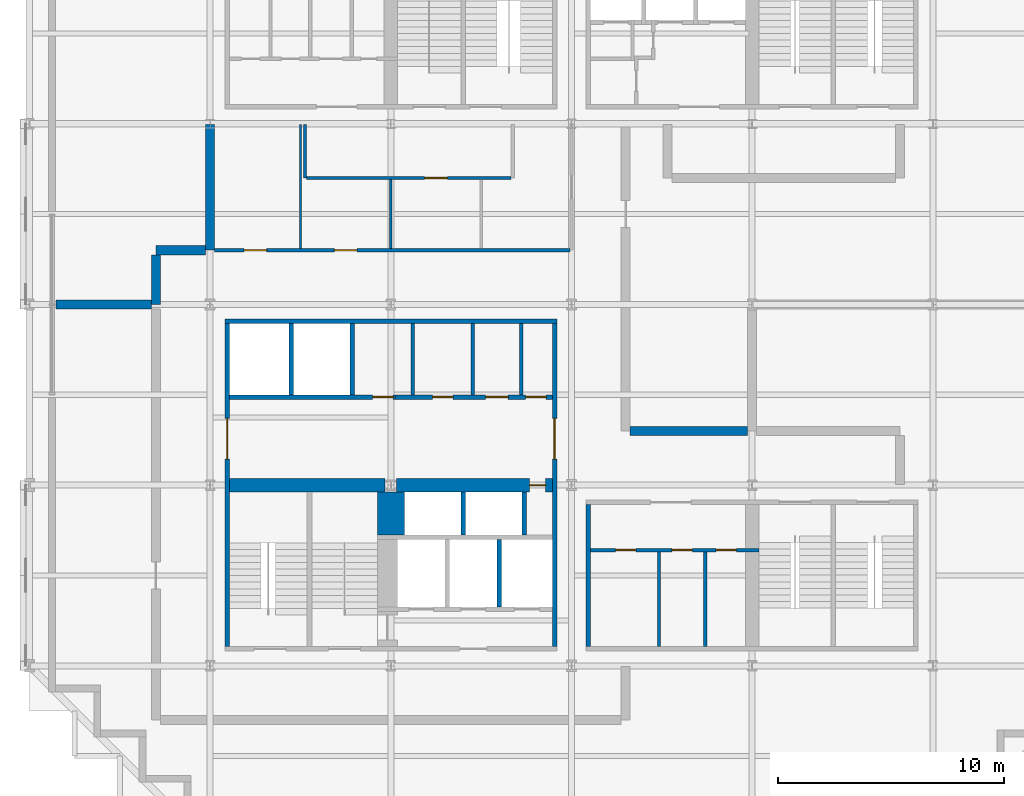
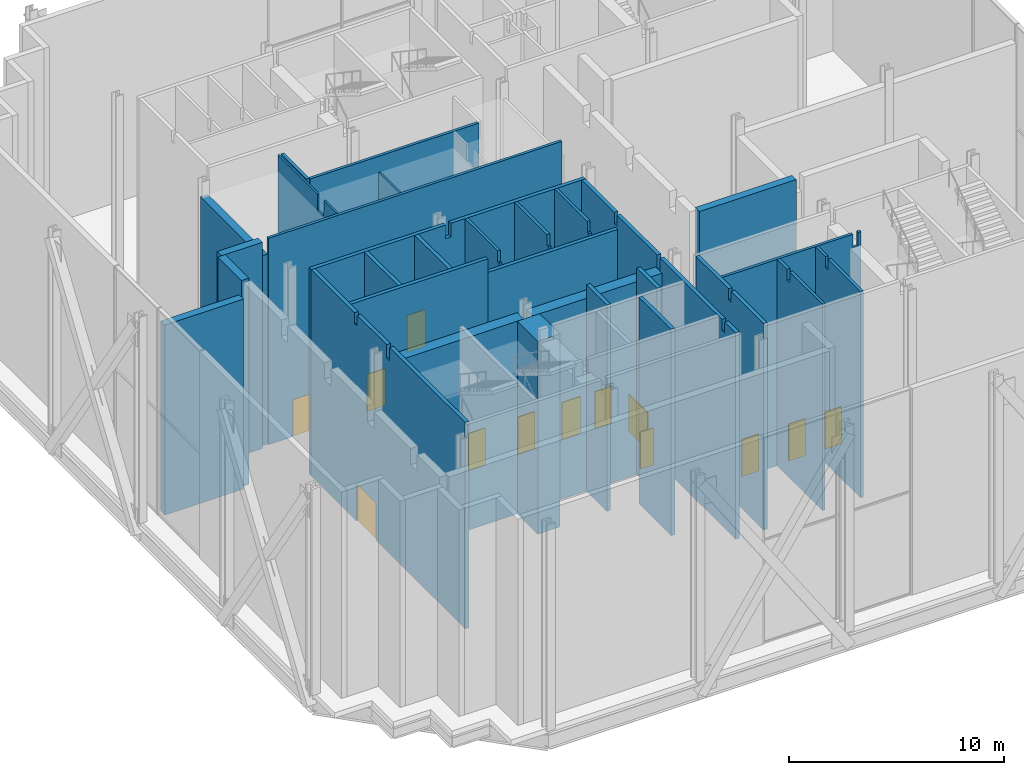
# One storey, part 8 of 14: 30 walls, 13 doors, 13 openings.
"""IFC4 building model written with IfcOpenShell, lengths in metres."""

from ifc_helpers import new_model, si_unit, direction, frame, frame_2d, origin, place, context, subcontext, project, spatial, polyline, rectangle, outline, extrude, material, layer, layer_set, type_object, element, fill, save


model = new_model("IFC4")

# Units and contexts
model_context = context("Model", 3, precision=1e-05, world=origin(), true_north=direction((0.0, 1.0)))
body_context = subcontext(model_context, "Body", "Model", "MODEL_VIEW")
ifc_project = project(units=[si_unit("LENGTHUNIT", "METRE"), si_unit("AREAUNIT", "SQUARE_METRE"), si_unit("VOLUMEUNIT", "CUBIC_METRE"), si_unit("PLANEANGLEUNIT", "RADIAN"), si_unit("MASSUNIT", "GRAM", prefix="KILO")], contexts=[model_context])

# Site, building, storey
site_placement = place(None, origin())
site = spatial("IfcSite", under=ifc_project, at=site_placement, CompositionType="ELEMENT")
building_placement = place(site_placement, origin())
building = spatial("IfcBuilding", under=site, at=building_placement, Name="Immortelle Media Tower", CompositionType="ELEMENT")
storey_placement = place(building_placement, frame((0.0, 0.0, 9.0)))
storey = spatial("IfcBuildingStorey", under=building, at=storey_placement, Name="L01", CompositionType="ELEMENT", Elevation=9.0)

# Wall, opening, door
ifc_material_1 = material(Name="Fire-rated masonry blockwork", Category="masonry")
ifc_layer_1 = layer(ifc_material_1, 0.60009765625)
ifc_layer_set_1 = layer_set([ifc_layer_1], Name="Fire-rated masonry blockwork")
wall_type_1 = type_object("IfcWallType", Name="Core grid-line wall 600", PredefinedType="PARTITIONING", material=ifc_layer_set_1)
wall_1_placement = place(storey_placement, frame((16.24755859375, 16.0, 0.0), z_axis=(0.0, 0.0, 1.0), x_axis=(1.0, 0.0, 0.0)))
wall_1 = element("IfcWall", 1, at=wall_1_placement, inside=storey, type_object=wall_type_1, Name="Core grid-line wall SW", PredefinedType="PARTITIONING", context=body_context, shape_type="SweptSolid", body=[
    extrude(rectangle(XDim=6.90234375, YDim=0.60009765625, at=frame_2d((3.451171875, 0.0))), origin(), (0.0, 0.0, 1.0), 10.931884765625),
])
opening_1_placement = place(wall_1_placement, frame((6.6025390625, 0.0, 0.0), z_axis=(0.0, 0.0, 1.0), x_axis=(-1.0, 0.0, 0.0)))
opening_1 = element("IfcOpeningElement", 2, at=opening_1_placement, cuts=wall_1, Name="Opening P1-K013", PredefinedType="OPENING", context=body_context, shape_type="SweptSolid", body=[
    extrude(rectangle(XDim=0.699951171875, YDim=2.10009765625, at=frame_2d((0.35009765625, 1.050048828125))), frame((0.0, 0.31005859375, 0.0), z_axis=(0.0, -1.0, 0.0), x_axis=(1.0, 0.0, 0.0)), (0.0, 0.0, 1.0), 0.6201171875),
])
ifc_material_2 = material(Name="Galvanised steel door leaf and frame ASTM A653", Category="steel")
door_type_1 = type_object("IfcDoorType", Name="Service door 700 x 2100", OperationType="NOTDEFINED", PredefinedType="NOTDEFINED", material=ifc_material_2)
door_1_placement = place(opening_1_placement, origin())
door_1 = element("IfcDoor", 3, at=door_1_placement, inside=storey, type_object=door_type_1, Name="Service P1-K013", OperationType="SINGLE_SWING_RIGHT", OverallHeight=2.10009765625, OverallWidth=0.699951171875, PredefinedType="NOTDEFINED", context=body_context, shape_type="SweptSolid", body=[
    extrude(rectangle(XDim=0.699951171875, YDim=2.10009765625, at=frame_2d((0.35009765625, 1.050048828125))), frame((0.0, 0.02490234375, 0.0), z_axis=(0.0, -1.0, 0.0), x_axis=(1.0, 0.0, 0.0)), (0.0, 0.0, 1.0), 0.050048828125),
])
fill(opening_1, door_1)

# Walls
ifc_material_3 = material(Name="Fire-rated gypsum board", Category="gypsum")
ifc_layer_2 = layer(ifc_material_3, 0.02490234375)
ifc_material_4 = material(Name="Steel ASTM A653 SS Gr 50 stud frame with mineral wool", Category="steel")
ifc_layer_3 = layer(ifc_material_4, 0.10009765625)
ifc_layer_4 = layer(ifc_material_3, 0.02490234375)
ifc_layer_set_2 = layer_set([ifc_layer_2, ifc_layer_3, ifc_layer_4], Name="Steel ASTM A653 SS Gr 50 stud frame with mineral wool")
wall_type_2 = type_object("IfcWallType", Name="Core partition 150", PredefinedType="PARTITIONING", material=ifc_layer_set_2)
for number, where, z_axis, x_axis, name in (
    (4, (16.97509765625, 20.0, 0.0), (0.0, 0.0, 1.0), (0.0, 1.0, 0.0), "Core partition SW"),
    (5, (19.625, 20.0, 0.0), (0.0, 0.0, 1.0), (0.0, 1.0, 0.0), "Core partition SW"),
    (6, (21.77490234375, 20.0, 0.0), (0.0, 0.0, 1.0), (0.0, 1.0, 0.0), "Core partition SW"),
):
    element("IfcWall", number, at=place(storey_placement, frame(where, z_axis=z_axis, x_axis=x_axis)), inside=storey, type_object=wall_type_2, Name=name, PredefinedType="PARTITIONING", context=body_context, shape_type="SweptSolid", body=[
        extrude(outline(polyline([(0.0, 0.0), (3.14990234375, 0.0), (3.14990234375, 11.699951171875), (0.119384765625, 11.699951171875), (0.118408203125, 11.08203125), (0.0, 11.08203125), (0.0, 0.0)])), frame((0.0, 0.074951171875, 0.0), z_axis=(0.0, -1.0, 0.0), x_axis=(1.0, 0.0, 0.0)), (0.0, 0.0, 1.0), 0.14990234375),
    ])

# Wall, openings, doors
wall_2_placement = place(storey_placement, frame((24.85009765625, 13.125, 0.0), z_axis=(0.0, 0.0, 1.0), x_axis=(1.0, 0.0, 0.0)))
wall_2 = element("IfcWall", 7, at=wall_2_placement, inside=storey, type_object=wall_type_2, Name="Core partition SE", PredefinedType="PARTITIONING", context=body_context, shape_type="SweptSolid", body=[
    extrude(outline(polyline([(0.0, 0.0), (7.449951171875, 0.0), (7.449951171875, 11.699951171875), (7.28857421875, 11.699951171875), (7.28759765625, 10.931884765625), (7.012451171875, 10.931884765625), (7.011474609375, 11.699951171875), (0.0, 11.699951171875), (0.0, 0.0)])), frame((0.0, 0.074951171875, 0.0), z_axis=(0.0, -1.0, 0.0), x_axis=(1.0, 0.0, 0.0)), (0.0, 0.0, 1.0), 0.14990234375),
])
opening_2_placement = place(wall_2_placement, frame((2.0, 0.0, 0.0), z_axis=(0.0, 0.0, 1.0), x_axis=(-1.0, 0.0, 0.0)))
opening_2 = element("IfcOpeningElement", 8, at=opening_2_placement, cuts=wall_2, Name="Opening P1-K015", PredefinedType="OPENING", context=body_context, shape_type="SweptSolid", body=[
    extrude(rectangle(XDim=0.89990234375, YDim=2.10009765625, at=frame_2d((0.449951171875, 1.050048828125))), frame((0.0, 0.0849609375, 0.0), z_axis=(0.0, -1.0, 0.0), x_axis=(1.0, 0.0, 0.0)), (0.0, 0.0, 1.0), 0.169921875),
])
opening_3_placement = place(wall_2_placement, frame((4.5, 0.0, 0.0), z_axis=(0.0, 0.0, 1.0), x_axis=(-1.0, 0.0, 0.0)))
opening_3 = element("IfcOpeningElement", 9, at=opening_3_placement, cuts=wall_2, Name="Opening P1-K017", PredefinedType="OPENING", context=body_context, shape_type="SweptSolid", body=[
    extrude(rectangle(XDim=0.89990234375, YDim=2.10009765625, at=frame_2d((0.449951171875, 1.050048828125))), frame((0.0, 0.0849609375, 0.0), z_axis=(0.0, -1.0, 0.0), x_axis=(1.0, 0.0, 0.0)), (0.0, 0.0, 1.0), 0.169921875),
])
opening_4_placement = place(wall_2_placement, frame((6.449951171875, 0.0, 0.0), z_axis=(0.0, 0.0, 1.0), x_axis=(-1.0, 0.0, 0.0)))
opening_4 = element("IfcOpeningElement", 10, at=opening_4_placement, cuts=wall_2, Name="Opening P1-K018", PredefinedType="OPENING", context=body_context, shape_type="SweptSolid", body=[
    extrude(rectangle(XDim=0.89990234375, YDim=2.10009765625, at=frame_2d((0.449951171875, 1.050048828125))), frame((0.0, 0.0849609375, 0.0), z_axis=(0.0, -1.0, 0.0), x_axis=(1.0, 0.0, 0.0)), (0.0, 0.0, 1.0), 0.169921875),
])
ifc_material_5 = material(Name="Timber", Category="wood")
door_type_2 = type_object("IfcDoorType", Name="Room door 900 x 2100", OperationType="NOTDEFINED", PredefinedType="NOTDEFINED", material=ifc_material_5)
door_2_placement = place(opening_2_placement, origin())
door_2 = element("IfcDoor", 11, at=door_2_placement, inside=storey, type_object=door_type_2, Name="Room P1-K015", OperationType="SINGLE_SWING_RIGHT", OverallHeight=2.10009765625, OverallWidth=0.89990234375, PredefinedType="NOTDEFINED", context=body_context, shape_type="SweptSolid", body=[
    extrude(rectangle(XDim=0.89990234375, YDim=2.10009765625, at=frame_2d((0.449951171875, 1.050048828125))), frame((0.0, 0.02490234375, 0.0), z_axis=(0.0, -1.0, 0.0), x_axis=(1.0, 0.0, 0.0)), (0.0, 0.0, 1.0), 0.050048828125),
])
fill(opening_2, door_2)
door_3_placement = place(opening_3_placement, origin())
door_3 = element("IfcDoor", 12, at=door_3_placement, inside=storey, type_object=door_type_2, Name="Room P1-K017", OperationType="SINGLE_SWING_LEFT", OverallHeight=2.10009765625, OverallWidth=0.89990234375, PredefinedType="NOTDEFINED", context=body_context, shape_type="SweptSolid", body=[
    extrude(rectangle(XDim=0.89990234375, YDim=2.10009765625, at=frame_2d((0.449951171875, 1.050048828125))), frame((0.0, 0.02490234375, 0.0), z_axis=(0.0, -1.0, 0.0), x_axis=(1.0, 0.0, 0.0)), (0.0, 0.0, 1.0), 0.050048828125),
])
fill(opening_3, door_3)
door_type_3 = type_object("IfcDoorType", Name="Service door 900 x 2100", OperationType="NOTDEFINED", PredefinedType="NOTDEFINED", material=ifc_material_2)
door_4_placement = place(opening_4_placement, origin())
door_4 = element("IfcDoor", 13, at=door_4_placement, inside=storey, type_object=door_type_3, Name="Service P1-K018", OperationType="SINGLE_SWING_RIGHT", OverallHeight=2.10009765625, OverallWidth=0.89990234375, PredefinedType="NOTDEFINED", context=body_context, shape_type="SweptSolid", body=[
    extrude(rectangle(XDim=0.89990234375, YDim=2.10009765625, at=frame_2d((0.449951171875, 1.050048828125))), frame((0.0, 0.02490234375, 0.0), z_axis=(0.0, -1.0, 0.0), x_axis=(1.0, 0.0, 0.0)), (0.0, 0.0, 1.0), 0.050048828125),
])
fill(opening_4, door_4)

# Walls
for number, where, z_axis, x_axis, name in (
    (14, (27.875, 8.85009765625, 0.0), (0.0, 0.0, 1.0), (0.0, 1.0, 0.0), "Core partition SE"),
    (15, (29.925048828125, 8.85009765625, 0.0), (0.0, 0.0, 1.0), (0.0, 1.0, 0.0), "Core partition SE"),
):
    element("IfcWall", number, at=place(storey_placement, frame(where, z_axis=z_axis, x_axis=x_axis)), inside=storey, type_object=wall_type_2, Name=name, PredefinedType="PARTITIONING", context=body_context, shape_type="SweptSolid", body=[
        extrude(outline(polyline([(0.0, 0.0), (4.199951171875, 0.0), (4.199951171875, 11.699951171875), (3.26953125, 11.699951171875), (3.2685546875, 11.08203125), (3.031494140625, 11.08203125), (3.030517578125, 11.699951171875), (0.0, 11.699951171875), (0.0, 0.0)])), frame((0.0, 0.074951171875, 0.0), z_axis=(0.0, -1.0, 0.0), x_axis=(1.0, 0.0, 0.0)), (0.0, 0.0, 1.0), 0.14990234375),
    ])
ifc_layer_5 = layer(ifc_material_3, 0.03759765625)
ifc_layer_6 = layer(ifc_material_4, 0.125)
ifc_layer_7 = layer(ifc_material_3, 0.03759765625)
ifc_layer_set_3 = layer_set([ifc_layer_5, ifc_layer_6, ifc_layer_7], Name="Steel ASTM A653 SS Gr 50 stud frame with mineral wool")
wall_type_3 = type_object("IfcWallType", Name="Core shaft wall 200", PredefinedType="PARTITIONING", material=ifc_layer_set_3)
wall_3_placement = place(storey_placement, frame((8.64990234375, 23.25, 0.0), z_axis=(0.0, 0.0, 1.0), x_axis=(1.0, 0.0, 0.0)))
element("IfcWall", 16, at=wall_3_placement, inside=storey, type_object=wall_type_3, Name="Core shaft wall SW", PredefinedType="PARTITIONING", context=body_context, shape_type="SweptSolid", body=[
    extrude(outline(polyline([(0.0, 0.0), (14.7001953125, 0.0), (14.699951171875, 11.699951171875), (7.488525390625, 11.699951171875), (7.487548828125, 10.931884765625), (7.21240234375, 10.931884765625), (7.21142578125, 11.699951171875), (0.0, 11.699951171875), (0.0, 0.0)])), frame((0.0, 0.10009765625, 0.0), z_axis=(0.0, -1.0, 0.0), x_axis=(1.0, 0.0, 0.0)), (0.0, 0.0, 1.0), 0.199951171875),
])

# Wall, opening, door
wall_4_placement = place(storey_placement, frame((8.85009765625, 19.89990234375, 0.0), z_axis=(0.0, 0.0, 1.0), x_axis=(1.0, 0.0, 0.0)))
wall_4 = element("IfcWall", 17, at=wall_4_placement, inside=storey, type_object=wall_type_3, Name="Core shaft wall SW", PredefinedType="PARTITIONING", context=body_context, shape_type="SweptSolid", body=[
    extrude(rectangle(XDim=7.349853515625, YDim=0.199951171875, at=frame_2d((3.6748046875, 0.0))), origin(), (0.0, 0.0, 1.0), 11.699951171875),
])
opening_5_placement = place(wall_4_placement, frame((6.35009765625, 0.0, 0.0)))
opening_5 = element("IfcOpeningElement", 18, at=opening_5_placement, cuts=wall_4, Name="Opening P1-K004", PredefinedType="OPENING", context=body_context, shape_type="SweptSolid", body=[
    extrude(rectangle(XDim=0.89990234375, YDim=2.10009765625, at=frame_2d((0.449951171875, 1.050048828125))), frame((0.0, 0.10986328125, 0.0), z_axis=(0.0, -1.0, 0.0), x_axis=(1.0, 0.0, 0.0)), (0.0, 0.0, 1.0), 0.219970703125),
])
door_type_4 = type_object("IfcDoorType", Name="Toilet door 900 x 2100", OperationType="NOTDEFINED", PredefinedType="NOTDEFINED", material=ifc_material_5)
door_5_placement = place(opening_5_placement, origin())
door_5 = element("IfcDoor", 19, at=door_5_placement, inside=storey, type_object=door_type_4, Name="Toilet P1-K004", OperationType="SINGLE_SWING_RIGHT", OverallHeight=2.10009765625, OverallWidth=0.89990234375, PredefinedType="NOTDEFINED", context=body_context, shape_type="SweptSolid", body=[
    extrude(rectangle(XDim=0.89990234375, YDim=2.10009765625, at=frame_2d((0.449951171875, 1.050048828125))), frame((0.0, 0.02490234375, 0.0), z_axis=(0.0, -1.0, 0.0), x_axis=(1.0, 0.0, 0.0)), (0.0, 0.0, 1.0), 0.050048828125),
])
fill(opening_5, door_5)

# Wall, openings, doors
wall_5_placement = place(storey_placement, frame((16.199951171875, 19.89990234375, 0.0), z_axis=(0.0, 0.0, 1.0), x_axis=(1.0, 0.0, 0.0)))
wall_5 = element("IfcWall", 20, at=wall_5_placement, inside=storey, type_object=wall_type_3, Name="Core shaft wall SW", PredefinedType="PARTITIONING", context=body_context, shape_type="SweptSolid", body=[
    extrude(rectangle(XDim=6.949951171875, YDim=0.199951171875, at=frame_2d((3.47509765625, 0.0))), origin(), (0.0, 0.0, 1.0), 10.931884765625),
])
opening_6_placement = place(wall_5_placement, frame((1.64990234375, 0.0, 0.0)))
opening_6 = element("IfcOpeningElement", 21, at=opening_6_placement, cuts=wall_5, Name="Opening P1-K007", PredefinedType="OPENING", context=body_context, shape_type="SweptSolid", body=[
    extrude(rectangle(XDim=0.89990234375, YDim=2.10009765625, at=frame_2d((0.449951171875, 1.050048828125))), frame((0.0, 0.10986328125, 0.0), z_axis=(0.0, -1.0, 0.0), x_axis=(1.0, 0.0, 0.0)), (0.0, 0.0, 1.0), 0.219970703125),
])
opening_7_placement = place(wall_5_placement, frame((4.0, 0.0, 0.0)))
opening_7 = element("IfcOpeningElement", 22, at=opening_7_placement, cuts=wall_5, Name="Opening P1-K010", PredefinedType="OPENING", context=body_context, shape_type="SweptSolid", body=[
    extrude(rectangle(XDim=1.0, YDim=2.10009765625, at=frame_2d((0.5, 1.050048828125))), frame((0.0, 0.10986328125, 0.0), z_axis=(0.0, -1.0, 0.0), x_axis=(1.0, 0.0, 0.0)), (0.0, 0.0, 1.0), 0.219970703125),
])
opening_8_placement = place(wall_5_placement, frame((5.77490234375, 0.0, 0.0)))
opening_8 = element("IfcOpeningElement", 23, at=opening_8_placement, cuts=wall_5, Name="Opening P1-K012", PredefinedType="OPENING", context=body_context, shape_type="SweptSolid", body=[
    extrude(rectangle(XDim=0.89990234375, YDim=2.10009765625, at=frame_2d((0.449951171875, 1.050048828125))), frame((0.0, 0.10986328125, 0.0), z_axis=(0.0, -1.0, 0.0), x_axis=(1.0, 0.0, 0.0)), (0.0, 0.0, 1.0), 0.219970703125),
])
door_type_5 = type_object("IfcDoorType", Name="Accessible toilet door 1000 x 2100", OperationType="NOTDEFINED", PredefinedType="NOTDEFINED", material=ifc_material_5)
door_6_placement = place(opening_7_placement, origin())
door_6 = element("IfcDoor", 24, at=door_6_placement, inside=storey, type_object=door_type_5, Name="Accessible toilet P1-K010", OperationType="SINGLE_SWING_RIGHT", OverallHeight=2.10009765625, OverallWidth=1.0, PredefinedType="NOTDEFINED", context=body_context, shape_type="SweptSolid", body=[
    extrude(rectangle(XDim=1.0, YDim=2.10009765625, at=frame_2d((0.5, 1.050048828125))), frame((0.0, 0.02490234375, 0.0), z_axis=(0.0, -1.0, 0.0), x_axis=(1.0, 0.0, 0.0)), (0.0, 0.0, 1.0), 0.050048828125),
])
fill(opening_7, door_6)
door_7_placement = place(opening_8_placement, origin())
door_7 = element("IfcDoor", 25, at=door_7_placement, inside=storey, type_object=door_type_3, Name="Service P1-K012", OperationType="SINGLE_SWING_LEFT", OverallHeight=2.10009765625, OverallWidth=0.89990234375, PredefinedType="NOTDEFINED", context=body_context, shape_type="SweptSolid", body=[
    extrude(rectangle(XDim=0.89990234375, YDim=2.10009765625, at=frame_2d((0.449951171875, 1.050048828125))), frame((0.0, 0.02490234375, 0.0), z_axis=(0.0, -1.0, 0.0), x_axis=(1.0, 0.0, 0.0)), (0.0, 0.0, 1.0), 0.050048828125),
])
fill(opening_8, door_7)
door_8_placement = place(opening_6_placement, origin())
door_8 = element("IfcDoor", 26, at=door_8_placement, inside=storey, type_object=door_type_4, Name="Toilet P1-K007", OperationType="SINGLE_SWING_RIGHT", OverallHeight=2.10009765625, OverallWidth=0.89990234375, PredefinedType="NOTDEFINED", context=body_context, shape_type="SweptSolid", body=[
    extrude(rectangle(XDim=0.89990234375, YDim=2.10009765625, at=frame_2d((0.449951171875, 1.050048828125))), frame((0.0, 0.02490234375, 0.0), z_axis=(0.0, -1.0, 0.0), x_axis=(1.0, 0.0, 0.0)), (0.0, 0.0, 1.0), 0.050048828125),
])
fill(opening_6, door_8)

# Walls
for number, where, z_axis, x_axis, name in (
    (27, (11.60009765625, 20.0, 0.0), (0.0, 0.0, 1.0), (0.0, 1.0, 0.0), "Core shaft wall SW"),
    (28, (14.300048828125, 20.0, 0.0), (0.0, 0.0, 1.0), (0.0, 1.0, 0.0), "Core shaft wall SW"),
):
    element("IfcWall", number, at=place(storey_placement, frame(where, z_axis=z_axis, x_axis=x_axis)), inside=storey, type_object=wall_type_3, Name=name, PredefinedType="PARTITIONING", context=body_context, shape_type="SweptSolid", body=[
        extrude(rectangle(XDim=3.14990234375, YDim=0.199951171875, at=frame_2d((1.574951171875, 0.0))), origin(), (0.0, 0.0, 1.0), 11.699951171875),
    ])
wall_6_placement = place(storey_placement, frame((19.199951171875, 13.800048828125, 0.0), z_axis=(0.0, 0.0, 1.0), x_axis=(0.0, 1.0, 0.0)))
element("IfcWall", 29, at=wall_6_placement, inside=storey, type_object=wall_type_3, Name="Core shaft wall SW", PredefinedType="PARTITIONING", context=body_context, shape_type="SweptSolid", body=[
    extrude(rectangle(XDim=1.89990234375, YDim=0.199951171875, at=frame_2d((0.949951171875, 0.0))), origin(), (0.0, 0.0, 1.0), 11.699951171875),
])
wall_7_placement = place(storey_placement, frame((20.800048828125, 10.60009765625, 0.0), z_axis=(0.0, 0.0, 1.0), x_axis=(0.0, 1.0, 0.0)))
element("IfcWall", 30, at=wall_7_placement, inside=storey, type_object=wall_type_3, Name="Core shaft wall SW", PredefinedType="PARTITIONING", context=body_context, shape_type="SweptSolid", body=[
    extrude(rectangle(XDim=3.0, YDim=0.199951171875, at=frame_2d((1.5, 0.0))), origin(), (0.0, 0.0, 1.0), 11.699951171875),
])
wall_8_placement = place(storey_placement, frame((21.89990234375, 13.800048828125, 0.0), z_axis=(0.0, 0.0, 1.0), x_axis=(0.0, 1.0, 0.0)))
element("IfcWall", 31, at=wall_8_placement, inside=storey, type_object=wall_type_3, Name="Core shaft wall SW", PredefinedType="PARTITIONING", context=body_context, shape_type="SweptSolid", body=[
    extrude(rectangle(XDim=1.89990234375, YDim=0.199951171875, at=frame_2d((0.949951171875, 0.0))), origin(), (0.0, 0.0, 1.0), 11.699951171875),
])

# Wall, opening, door
wall_9_placement = place(storey_placement, frame((23.25, 8.85009765625, 0.0), z_axis=(0.0, 0.0, 1.0), x_axis=(0.0, 1.0, 0.0)))
wall_9 = element("IfcWall", 32, at=wall_9_placement, inside=storey, type_object=wall_type_3, Name="Core shaft wall SW", PredefinedType="PARTITIONING", context=body_context, shape_type="SweptSolid", body=[
    extrude(outline(polyline([(0.0, 0.0), (14.2998046875, 0.0), (14.300048828125, 11.699951171875), (11.26953125, 11.699951171875), (11.2685546875, 11.08203125), (11.031494140625, 11.08203125), (11.030517578125, 11.699951171875), (7.28857421875, 11.699951171875), (7.28759765625, 10.931884765625), (7.012451171875, 10.931884765625), (7.011474609375, 11.699951171875), (1.26953125, 11.699951171875), (1.2685546875, 11.08203125), (1.031494140625, 11.08203125), (1.030517578125, 11.699951171875), (0.0, 11.699951171875), (0.0, 0.0)])), frame((0.0, 0.10009765625, 0.0), z_axis=(0.0, -1.0, 0.0), x_axis=(1.0, 0.0, 0.0)), (0.0, 0.0, 1.0), 0.199951171875),
])
opening_9_placement = place(wall_9_placement, frame((8.300048828125, 0.0, 0.0)))
opening_9 = element("IfcOpeningElement", 33, at=opening_9_placement, cuts=wall_9, Name="Opening P1-K014", PredefinedType="OPENING", context=body_context, shape_type="SweptSolid", body=[
    extrude(rectangle(XDim=1.800048828125, YDim=2.10009765625, at=frame_2d((0.89990234375, 1.050048828125))), frame((0.0, 0.10986328125, 0.0), z_axis=(0.0, -1.0, 0.0), x_axis=(1.0, 0.0, 0.0)), (0.0, 0.0, 1.0), 0.219970703125),
])
door_type_6 = type_object("IfcDoorType", Name="Lift lobby door 1800 x 2100", OperationType="DOUBLE_DOOR_SINGLE_SWING", PredefinedType="NOTDEFINED", material=ifc_material_2)
door_9_placement = place(opening_9_placement, origin())
door_9 = element("IfcDoor", 34, at=door_9_placement, inside=storey, type_object=door_type_6, Name="Lift lobby P1-K014", OperationType="DOUBLE_DOOR_SINGLE_SWING", OverallHeight=2.10009765625, OverallWidth=1.800048828125, PredefinedType="NOTDEFINED", context=body_context, shape_type="SweptSolid", body=[
    extrude(rectangle(XDim=1.800048828125, YDim=2.10009765625, at=frame_2d((0.89990234375, 1.050048828125))), frame((0.0, 0.02490234375, 0.0), z_axis=(0.0, -1.0, 0.0), x_axis=(1.0, 0.0, 0.0)), (0.0, 0.0, 1.0), 0.050048828125),
])
fill(opening_9, door_9)

# Wall
wall_10_placement = place(storey_placement, frame((24.75, 8.85009765625, 0.0), z_axis=(0.0, 0.0, 1.0), x_axis=(0.0, 1.0, 0.0)))
element("IfcWall", 35, at=wall_10_placement, inside=storey, type_object=wall_type_3, Name="Core shaft wall SE", PredefinedType="PARTITIONING", context=body_context, shape_type="SweptSolid", body=[
    extrude(outline(polyline([(0.0, 0.0), (6.2998046875, 0.0), (6.300048828125, 11.699951171875), (3.26953125, 11.699951171875), (3.2685546875, 11.08203125), (3.031494140625, 11.08203125), (3.030517578125, 11.699951171875), (0.0, 11.699951171875), (0.0, 0.0)])), frame((0.0, 0.10009765625, 0.0), z_axis=(0.0, -1.0, 0.0), x_axis=(1.0, 0.0, 0.0)), (0.0, 0.0, 1.0), 0.199951171875),
])

# Wall, openings, doors
ifc_layer_8 = layer(ifc_material_3, 0.012451171875)
ifc_layer_9 = layer(ifc_material_4, 0.125)
ifc_layer_10 = layer(ifc_material_3, 0.012451171875)
ifc_layer_set_4 = layer_set([ifc_layer_8, ifc_layer_9, ifc_layer_10], Name="Steel ASTM A653 SS Gr 50 stud frame with mineral wool")
wall_type_4 = type_object("IfcWallType", Name="Corridor wall 150", PredefinedType="PARTITIONING", material=ifc_layer_set_4)
wall_11_placement = place(storey_placement, frame((8.199951171875, 26.39990234375, 0.0), z_axis=(0.0, 0.0, 1.0), x_axis=(1.0, 0.0, 0.0)))
wall_11 = element("IfcWall", 36, at=wall_11_placement, inside=storey, type_object=wall_type_4, Name="Partition L01-013", PredefinedType="PARTITIONING", context=body_context, shape_type="SweptSolid", body=[
    extrude(rectangle(XDim=15.72509765625, YDim=0.14990234375, at=frame_2d((7.862548828125, 0.0))), origin(), (0.0, 0.0, 1.0), 11.699951171875),
])
opening_10_placement = place(wall_11_placement, frame((2.300048828125, 0.0, 0.0), z_axis=(0.0, 0.0, 1.0), x_axis=(-1.0, 0.0, 0.0)))
opening_10 = element("IfcOpeningElement", 37, at=opening_10_placement, cuts=wall_11, Name="Opening P1-F004", PredefinedType="OPENING", context=body_context, shape_type="SweptSolid", body=[
    extrude(rectangle(XDim=1.0, YDim=2.10009765625, at=frame_2d((0.5, 1.050048828125))), frame((0.0, 0.0849609375, 0.0), z_axis=(0.0, -1.0, 0.0), x_axis=(1.0, 0.0, 0.0)), (0.0, 0.0, 1.0), 0.169921875),
])
opening_11_placement = place(wall_11_placement, frame((5.300048828125, 0.0, 0.0)))
opening_11 = element("IfcOpeningElement", 38, at=opening_11_placement, cuts=wall_11, Name="Opening P1-F005", PredefinedType="OPENING", context=body_context, shape_type="SweptSolid", body=[
    extrude(rectangle(XDim=1.0, YDim=2.10009765625, at=frame_2d((0.5, 1.050048828125))), frame((0.0, 0.0849609375, 0.0), z_axis=(0.0, -1.0, 0.0), x_axis=(1.0, 0.0, 0.0)), (0.0, 0.0, 1.0), 0.169921875),
])
ifc_material_6 = material(Name="Timber veneered door leaf, galvanised steel frame ASTM A653", Category="steel")
door_type_7 = type_object("IfcDoorType", Name="Room door 1000 x 2100", OperationType="NOTDEFINED", PredefinedType="DOOR", material=ifc_material_6)
door_10_placement = place(opening_10_placement, origin())
door_10 = element("IfcDoor", 39, at=door_10_placement, inside=storey, type_object=door_type_7, Name="Door P1-F004", OperationType="SINGLE_SWING_RIGHT", OverallHeight=2.10009765625, OverallWidth=1.0, PredefinedType="DOOR", context=body_context, shape_type="SweptSolid", body=[
    extrude(rectangle(XDim=1.0, YDim=2.10009765625, at=frame_2d((0.5, 1.050048828125))), frame((0.0, 0.02490234375, 0.0), z_axis=(0.0, -1.0, 0.0), x_axis=(1.0, 0.0, 0.0)), (0.0, 0.0, 1.0), 0.050048828125),
])
fill(opening_10, door_10)
door_11_placement = place(opening_11_placement, origin())
door_11 = element("IfcDoor", 40, at=door_11_placement, inside=storey, type_object=door_type_7, Name="Door P1-F005", OperationType="SINGLE_SWING_LEFT", OverallHeight=2.10009765625, OverallWidth=1.0, PredefinedType="DOOR", context=body_context, shape_type="SweptSolid", body=[
    extrude(rectangle(XDim=1.0, YDim=2.10009765625, at=frame_2d((0.5, 1.050048828125))), frame((0.0, 0.02490234375, 0.0), z_axis=(0.0, -1.0, 0.0), x_axis=(1.0, 0.0, 0.0)), (0.0, 0.0, 1.0), 0.050048828125),
])
fill(opening_11, door_11)

# Wall, opening, door
wall_12_placement = place(storey_placement, frame((12.27490234375, 29.60009765625, 0.0), z_axis=(0.0, 0.0, 1.0), x_axis=(1.0, 0.0, 0.0)))
wall_12 = element("IfcWall", 41, at=wall_12_placement, inside=storey, type_object=wall_type_4, Name="Partition L01-019", PredefinedType="PARTITIONING", context=body_context, shape_type="SweptSolid", body=[
    extrude(rectangle(XDim=9.050048828125, YDim=0.14990234375, at=frame_2d((4.52490234375, 0.0))), origin(), (0.0, 0.0, 1.0), 11.699951171875),
])
opening_12_placement = place(wall_12_placement, frame((6.22509765625, 0.0, 0.0), z_axis=(0.0, 0.0, 1.0), x_axis=(-1.0, 0.0, 0.0)))
opening_12 = element("IfcOpeningElement", 42, at=opening_12_placement, cuts=wall_12, Name="Opening P1-F002", PredefinedType="OPENING", context=body_context, shape_type="SweptSolid", body=[
    extrude(rectangle(XDim=1.0, YDim=2.10009765625, at=frame_2d((0.5, 1.050048828125))), frame((0.0, 0.0849609375, 0.0), z_axis=(0.0, -1.0, 0.0), x_axis=(1.0, 0.0, 0.0)), (0.0, 0.0, 1.0), 0.169921875),
])
door_12_placement = place(opening_12_placement, origin())
door_12 = element("IfcDoor", 43, at=door_12_placement, inside=storey, type_object=door_type_7, Name="Door P1-F002", OperationType="SINGLE_SWING_RIGHT", OverallHeight=2.10009765625, OverallWidth=1.0, PredefinedType="DOOR", context=body_context, shape_type="SweptSolid", body=[
    extrude(rectangle(XDim=1.0, YDim=2.10009765625, at=frame_2d((0.5, 1.050048828125))), frame((0.0, 0.02490234375, 0.0), z_axis=(0.0, -1.0, 0.0), x_axis=(1.0, 0.0, 0.0)), (0.0, 0.0, 1.0), 0.050048828125),
])
fill(opening_12, door_12)

# Walls
wall_13_placement = place(storey_placement, frame((12.199951171875, 29.60009765625, 0.0), z_axis=(0.0, 0.0, 1.0), x_axis=(0.0, 1.0, 0.0)))
element("IfcWall", 44, at=wall_13_placement, inside=storey, type_object=wall_type_4, Name="Partition L01-020", PredefinedType="PARTITIONING", context=body_context, shape_type="SweptSolid", body=[
    extrude(rectangle(XDim=2.369873046875, YDim=0.14990234375, at=frame_2d((1.18505859375, 0.0))), origin(), (0.0, 0.0, 1.0), 11.699951171875),
])
ifc_material_7 = material(Name="Gypsum board", Category="gypsum")
ifc_layer_11 = layer(ifc_material_7, 0.012451171875)
ifc_layer_12 = layer(ifc_material_4, 0.074951171875)
ifc_layer_13 = layer(ifc_material_7, 0.012451171875)
ifc_layer_set_5 = layer_set([ifc_layer_11, ifc_layer_12, ifc_layer_13], Name="Steel ASTM A653 SS Gr 50 stud frame with mineral wool")
wall_type_5 = type_object("IfcWallType", Name="Partition 100", PredefinedType="PARTITIONING", material=ifc_layer_set_5)
wall_14_placement = place(storey_placement, frame((12.0, 26.47509765625, 0.0), z_axis=(0.0, 0.0, 1.0), x_axis=(0.0, 1.0, 0.0)))
element("IfcWall", 45, at=wall_14_placement, inside=storey, type_object=wall_type_5, Name="Partition L01-015", PredefinedType="PARTITIONING", context=body_context, shape_type="SweptSolid", body=[
    extrude(outline(polyline([(0.0, 0.0), (5.494873046875, 0.0), (5.4951171875, 11.699951171875), (1.824951171875, 11.699951171875), (1.822998046875, 10.77294921875), (1.22705078125, 10.77294921875), (1.22509765625, 11.699951171875), (0.0, 11.699951171875), (0.0, 0.0)])), frame((0.0, 0.050048828125, 0.0), z_axis=(0.0, -1.0, 0.0), x_axis=(1.0, 0.0, 0.0)), (0.0, 0.0, 1.0), 0.10009765625),
])
wall_15_placement = place(storey_placement, frame((16.0, 26.47509765625, 0.0), z_axis=(0.0, 0.0, 1.0), x_axis=(0.0, 1.0, 0.0)))
element("IfcWall", 46, at=wall_15_placement, inside=storey, type_object=wall_type_5, Name="Partition L01-016", PredefinedType="PARTITIONING", context=body_context, shape_type="SweptSolid", body=[
    extrude(rectangle(XDim=3.0498046875, YDim=0.10009765625, at=frame_2d((1.52490234375, 0.0))), origin(), (0.0, 0.0, 1.0), 10.77294921875),
])
ifc_material_8 = material(Name="Concrete C60", Category="concrete")
ifc_layer_14 = layer(ifc_material_8, 1.199951171875)
ifc_layer_set_6 = layer_set([ifc_layer_14], Name="Concrete C60")
wall_type_6 = type_object("IfcWallType", Name="Stair shaft wall 1200", PredefinedType="PARTITIONING", material=ifc_layer_set_6)
wall_16_placement = place(storey_placement, frame((16.0, 13.800048828125, 0.0), z_axis=(0.0, 0.0, 1.0), x_axis=(0.0, 1.0, 0.0)))
element("IfcWall", 47, at=wall_16_placement, inside=storey, type_object=wall_type_6, Name="Stair shaft wall SW", PredefinedType="PARTITIONING", context=body_context, shape_type="SweptSolid", body=[
    extrude(rectangle(XDim=1.89990234375, YDim=1.199951171875, at=frame_2d((0.949951171875, 0.0))), origin(), (0.0, 0.0, 1.0), 10.931884765625),
])

# Wall, opening, door
ifc_layer_15 = layer(ifc_material_8, 0.199951171875)
ifc_layer_set_7 = layer_set([ifc_layer_15], Name="Concrete C60")
wall_type_7 = type_object("IfcWallType", Name="Stair shaft wall 200", PredefinedType="PARTITIONING", material=ifc_layer_set_7)
wall_17_placement = place(storey_placement, frame((8.75, 8.85009765625, 0.0), z_axis=(0.0, 0.0, 1.0), x_axis=(0.0, 1.0, 0.0)))
wall_17 = element("IfcWall", 48, at=wall_17_placement, inside=storey, type_object=wall_type_7, Name="Stair shaft wall SW", PredefinedType="PARTITIONING", context=body_context, shape_type="SweptSolid", body=[
    extrude(outline(polyline([(0.0, 0.0), (14.2998046875, 0.0), (14.300048828125, 11.699951171875), (10.26953125, 11.699951171875), (10.2685546875, 11.08203125), (10.031494140625, 11.08203125), (10.030517578125, 11.699951171875), (7.28857421875, 11.699951171875), (7.28759765625, 10.931884765625), (7.012451171875, 10.931884765625), (7.011474609375, 11.699951171875), (0.0, 11.699951171875), (0.0, 0.0)])), frame((0.0, 0.10009765625, 0.0), z_axis=(0.0, -1.0, 0.0), x_axis=(1.0, 0.0, 0.0)), (0.0, 0.0, 1.0), 0.199951171875),
])
opening_13_placement = place(wall_17_placement, frame((8.300048828125, 0.0, 0.0)))
opening_13 = element("IfcOpeningElement", 49, at=opening_13_placement, cuts=wall_17, Name="Opening P1-K001", PredefinedType="OPENING", context=body_context, shape_type="SweptSolid", body=[
    extrude(rectangle(XDim=1.800048828125, YDim=2.10009765625, at=frame_2d((0.89990234375, 1.050048828125))), frame((0.0, 0.10986328125, 0.0), z_axis=(0.0, -1.0, 0.0), x_axis=(1.0, 0.0, 0.0)), (0.0, 0.0, 1.0), 0.219970703125),
])
door_13_placement = place(opening_13_placement, origin())
door_13 = element("IfcDoor", 50, at=door_13_placement, inside=storey, type_object=door_type_6, Name="Lift lobby P1-K001", OperationType="DOUBLE_DOOR_SINGLE_SWING", OverallHeight=2.10009765625, OverallWidth=1.800048828125, PredefinedType="NOTDEFINED", context=body_context, shape_type="SweptSolid", body=[
    extrude(rectangle(XDim=1.800048828125, YDim=2.10009765625, at=frame_2d((0.89990234375, 1.050048828125))), frame((0.0, 0.02490234375, 0.0), z_axis=(0.0, -1.0, 0.0), x_axis=(1.0, 0.0, 0.0)), (0.0, 0.0, 1.0), 0.050048828125),
])
fill(opening_13, door_13)

# Walls
ifc_layer_16 = layer(ifc_material_8, 0.60009765625)
ifc_layer_set_8 = layer_set([ifc_layer_16], Name="Concrete C60")
wall_type_8 = type_object("IfcWallType", Name="Stair shaft wall 600", PredefinedType="PARTITIONING", material=ifc_layer_set_8)
wall_18_placement = place(storey_placement, frame((8.85009765625, 16.0, 0.0), z_axis=(0.0, 0.0, 1.0), x_axis=(1.0, 0.0, 0.0)))
element("IfcWall", 51, at=wall_18_placement, inside=storey, type_object=wall_type_8, Name="Stair shaft wall SW", PredefinedType="PARTITIONING", context=body_context, shape_type="SweptSolid", body=[
    extrude(rectangle(XDim=6.90234375, YDim=0.60009765625, at=frame_2d((3.451171875, 0.0))), origin(), (0.0, 0.0, 1.0), 10.931884765625),
])
ifc_material_9 = material(Name="Acoustic masonry blockwork", Category="masonry")
ifc_layer_17 = layer(ifc_material_9, 0.39990234375)
ifc_layer_set_9 = layer_set([ifc_layer_17], Name="Acoustic masonry blockwork")
wall_type_9 = type_object("IfcWallType", Name="Studio shell 400", PredefinedType="PARTITIONING", material=ifc_layer_set_9)
wall_19_placement = place(storey_placement, frame((26.60009765625, 18.39990234375, 0.0), z_axis=(0.0, 0.0, 1.0), x_axis=(1.0, 0.0, 0.0)))
element("IfcWall", 52, at=wall_19_placement, inside=storey, type_object=wall_type_9, Name="Partition L01-005", PredefinedType="PARTITIONING", context=body_context, shape_type="SweptSolid", body=[
    extrude(rectangle(XDim=5.199951171875, YDim=0.39990234375, at=frame_2d((2.60009765625, 0.0))), origin(), (0.0, 0.0, 1.0), 11.699951171875),
])
wall_20_placement = place(storey_placement, frame((1.179931640625, 24.0, 0.0), z_axis=(0.0, 0.0, 1.0), x_axis=(1.0, 0.0, 0.0)))
element("IfcWall", 53, at=wall_20_placement, inside=storey, type_object=wall_type_9, Name="Partition L01-009", PredefinedType="PARTITIONING", context=body_context, shape_type="SweptSolid", body=[
    extrude(rectangle(XDim=4.219970703125, YDim=0.39990234375, at=frame_2d((2.10986328125, 0.0))), origin(), (0.0, 0.0, 1.0), 10.77294921875),
])
for number, where, z_axis, x_axis, name in (
    (54, (5.60009765625, 24.0, 0.0), (0.0, 0.0, 1.0), (0.0, 1.0, 0.0), "Partition L01-010"),
    (55, (5.60009765625, 26.39990234375, 0.0), (0.0, 0.0, 1.0), (1.0, 0.0, 0.0), "Partition L01-012"),
):
    element("IfcWall", number, at=place(storey_placement, frame(where, z_axis=z_axis, x_axis=x_axis)), inside=storey, type_object=wall_type_9, Name=name, PredefinedType="PARTITIONING", context=body_context, shape_type="SweptSolid", body=[
        extrude(rectangle(XDim=2.199951171875, YDim=0.39990234375, at=frame_2d((1.10009765625, 0.0))), origin(), (0.0, 0.0, 1.0), 11.699951171875),
    ])
wall_21_placement = place(storey_placement, frame((8.0, 26.39990234375, 0.0), z_axis=(0.0, 0.0, 1.0), x_axis=(0.0, 1.0, 0.0)))
element("IfcWall", 56, at=wall_21_placement, inside=storey, type_object=wall_type_9, Name="Partition L01-014", PredefinedType="PARTITIONING", context=body_context, shape_type="SweptSolid", body=[
    extrude(rectangle(XDim=5.570068359375, YDim=0.39990234375, at=frame_2d((2.78515625, 0.0))), origin(), (0.0, 0.0, 1.0), 10.77294921875),
])

save(model, "model.ifc")
